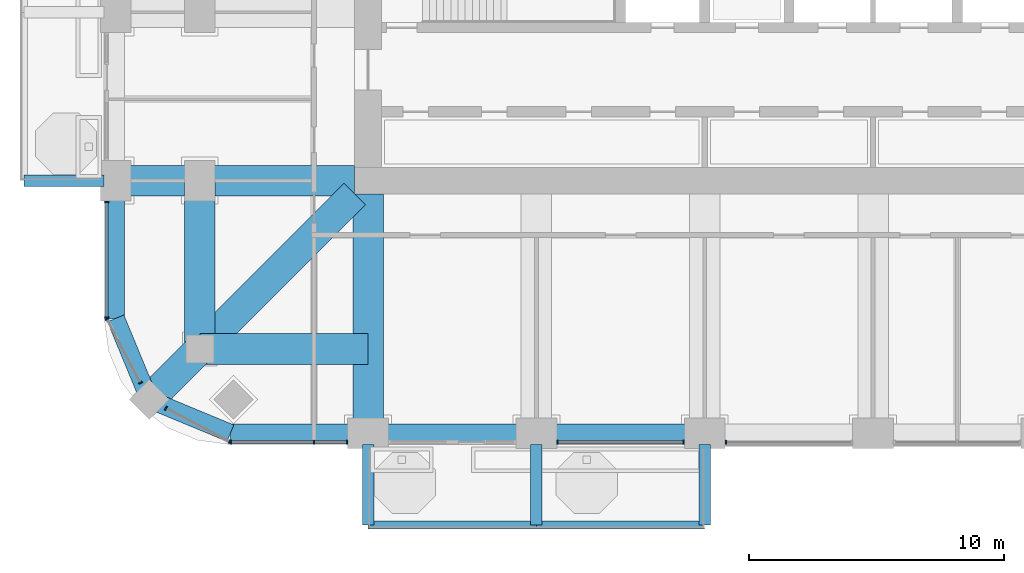
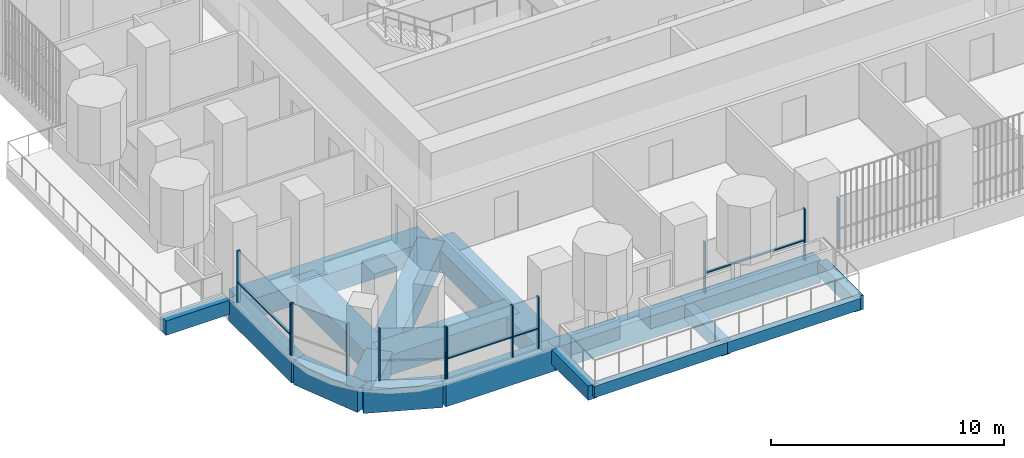
# One storey, part 2 of 20: 18 beams, 16 members, 6 elements without a shape of their own.
"""IFC4 building model written with IfcOpenShell, lengths in metres."""

from ifc_helpers import new_model, si_unit, direction, frame, origin, origin_2d, place, context, subcontext, project, spatial, rectangle, extrude, material, material_profile, profile_set, type_object, element, aggregate, save


model = new_model("IFC4")

# Units and contexts
model_context = context("Model", 3, precision=1e-05, world=origin(), true_north=direction((0.0, 1.0)))
body_context = subcontext(model_context, "Body", "Model", "MODEL_VIEW")
ifc_project = project(units=[si_unit("LENGTHUNIT", "METRE"), si_unit("AREAUNIT", "SQUARE_METRE"), si_unit("VOLUMEUNIT", "CUBIC_METRE"), si_unit("PLANEANGLEUNIT", "RADIAN"), si_unit("MASSUNIT", "GRAM", prefix="KILO")], contexts=[model_context])

# Site, building, storey
site_placement = place(None, origin())
site = spatial("IfcSite", under=ifc_project, at=site_placement, CompositionType="ELEMENT")
building_placement = place(site_placement, origin())
building = spatial("IfcBuilding", under=site, at=building_placement, Name="Cobogo Forest Laboratory Tower", CompositionType="ELEMENT")
storey_placement = place(building_placement, frame((0.0, 0.0, 185.10009765625)))
storey = spatial("IfcBuildingStorey", under=building, at=storey_placement, Name="L42", CompositionType="ELEMENT", Elevation=185.10009765625)

# Beams
ifc_material_1 = material(Name="Concrete HA-40 (C40/50)", Category="concrete")
ifc_material_profile_1 = material_profile(ifc_material_1, rectangle(XDim=0.449951171875, YDim=0.75, at=origin_2d()), Name="RC 450x750")
ifc_profile_set_1 = profile_set([ifc_material_profile_1], Name="Concrete HA-40 (C40/50)")
beam_type_1 = type_object("IfcBeamType", Name="Balcony cantilever beam 450x750", PredefinedType="BEAM", material=ifc_profile_set_1)
for number, where, z_axis, x_axis, name in (
    (1, (13.199951171875, 2.85009765625, -0.625), (0.0, -1.0, 0.0), (1.0, 0.0, 0.0), "CB1 BAL-S1-C1 L42"),
    (2, (19.800048828125, 2.85009765625, -0.625), (0.0, -1.0, 0.0), (1.0, 0.0, 0.0), "CB1 BAL-S1-C2 L42"),
    (3, (26.39990234375, 2.85009765625, -0.625), (0.0, -1.0, 0.0), (1.0, 0.0, 0.0), "CB1 BAL-S1-C3 L42"),
    (4, (2.85009765625, 13.199951171875, -0.625), (-1.0, 0.0, 0.0), (0.0, -1.0, 0.0), "CB1 BAL-W1-C1 L42"),
):
    element("IfcBeam", number, at=place(storey_placement, frame(where, z_axis=z_axis, x_axis=x_axis)), inside=storey, type_object=beam_type_1, Name=name, PredefinedType="BEAM", context=body_context, shape_type="SweptSolid", body=[
        extrude(rectangle(XDim=0.449951171875, YDim=0.75, at=origin_2d()), origin(), (0.0, 0.0, 1.0), 3.150146484375),
    ])
ifc_material_profile_2 = material_profile(ifc_material_1, rectangle(XDim=0.300048828125, YDim=0.60009765625, at=origin_2d()), Name="RC 300x600")
ifc_profile_set_2 = profile_set([ifc_material_profile_2], Name="Concrete HA-40 (C40/50)")
beam_type_2 = type_object("IfcBeamType", Name="Balcony edge beam 300x600", PredefinedType="BEAM", material=ifc_profile_set_2)
beam_1_placement = place(storey_placement, frame((13.199951171875, -0.300048828125, -0.550048828125), z_axis=(1.0, 0.0, 0.0), x_axis=(0.0, 1.0, 0.0)))
element("IfcBeam", 5, at=beam_1_placement, inside=storey, type_object=beam_type_2, Name="BB1 BAL-S1-T1 L42", PredefinedType="BEAM", context=body_context, shape_type="SweptSolid", body=[
    extrude(rectangle(XDim=0.300048828125, YDim=0.60009765625, at=origin_2d()), origin(), (0.0, 0.0, 1.0), 6.60009765625),
])
beam_2_placement = place(storey_placement, frame((19.800048828125, -0.300048828125, -0.550048828125), z_axis=(1.0, 0.0, 0.0), x_axis=(0.0, 1.0, 0.0)))
element("IfcBeam", 6, at=beam_2_placement, inside=storey, type_object=beam_type_2, Name="BB1 BAL-S1-T2 L42", PredefinedType="BEAM", context=body_context, shape_type="SweptSolid", body=[
    extrude(rectangle(XDim=0.300048828125, YDim=0.60009765625, at=origin_2d()), origin(), (0.0, 0.0, 1.0), 6.599853515625),
])
ifc_material_profile_3 = material_profile(ifc_material_1, rectangle(XDim=1.199951171875, YDim=1.050048828125, at=origin_2d()), Name="RC 1200x1050")
ifc_profile_set_3 = profile_set([ifc_material_profile_3], Name="Concrete HA-40 (C40/50)")
beam_type_3 = type_object("IfcBeamType", Name="Laboratory floor wide beam 1200x1050", PredefinedType="BEAM", material=ifc_profile_set_3)
for number, where, z_axis, x_axis, name in (
    (7, (13.199951171875, 12.675048828125, -0.8251953125), (0.0, -1.0, 0.0), (1.0, 0.0, 0.0), "RB1 R-3-S L42"),
    (8, (12.675048828125, 13.199951171875, -0.8251953125), (-1.0, 0.0, 0.0), (0.0, -1.0, 0.0), "RB1 R-C-W L42"),
):
    element("IfcBeam", number, at=place(storey_placement, frame(where, z_axis=z_axis, x_axis=x_axis)), inside=storey, type_object=beam_type_3, Name=name, PredefinedType="BEAM", context=body_context, shape_type="SweptSolid", body=[
        extrude(rectangle(XDim=1.199951171875, YDim=1.050048828125, at=origin_2d()), origin(), (0.0, 0.0, 1.0), 9.375),
    ])
for number, where, z_axis, x_axis, name in (
    (9, (6.60009765625, 6.60009765625, -0.8251953125), (0.0, 1.0, 0.0), (-1.0, 0.0, 0.0), "RB1 G-SW-XC L42"),
    (10, (6.60009765625, 6.60009765625, -0.8251953125), (1.0, 0.0, 0.0), (0.0, 1.0, 0.0), "RB1 G-SW-YC L42"),
):
    element("IfcBeam", number, at=place(storey_placement, frame(where, z_axis=z_axis, x_axis=x_axis)), inside=storey, type_object=beam_type_3, Name=name, PredefinedType="BEAM", context=body_context, shape_type="SweptSolid", body=[
        extrude(rectangle(XDim=1.199951171875, YDim=1.050048828125, at=origin_2d()), origin(), (0.0, 0.0, 1.0), 6.599853515625),
    ])
beam_3_placement = place(storey_placement, frame((4.617919921875, 4.617919921875, -0.8251953125), z_axis=(0.707106781187, 0.707106781187, 0.0), x_axis=(-0.707106781187, 0.707106781187, 0.0)))
element("IfcBeam", 11, at=beam_3_placement, inside=storey, type_object=beam_type_3, Name="RB1 G-SW-D1 L42", PredefinedType="BEAM", context=body_context, shape_type="SweptSolid", body=[
    extrude(rectangle(XDim=1.199951171875, YDim=1.050048828125, at=origin_2d()), origin(), (0.0, 0.0, 1.0), 2.80322265625),
])
beam_4_placement = place(storey_placement, frame((6.60009765625, 6.60009765625, -0.8251953125), z_axis=(0.707106781187, 0.707106781187, 0.0), x_axis=(-0.707106781187, 0.707106781187, 0.0)))
element("IfcBeam", 12, at=beam_4_placement, inside=storey, type_object=beam_type_3, Name="RB1 G-SW-D2 L42", PredefinedType="BEAM", context=body_context, shape_type="SweptSolid", body=[
    extrude(rectangle(XDim=1.199951171875, YDim=1.050048828125, at=origin_2d()), origin(), (0.0, 0.0, 1.0), 8.59130859375),
])

# Curtain wall, members
ifc_material_2 = material(Name="Aluminium curtain wall", Category="aluminium")
curtain_wall_type = type_object("IfcCurtainWallType", Name="CW-2 unitised curtain wall, solar control glazing, laboratory floors zones C and D", PredefinedType="USERDEFINED", material=ifc_material_2)
curtain_wall_1_placement = place(storey_placement, origin())
curtain_wall_1 = element("IfcCurtainWall", 13, at=curtain_wall_1_placement, inside=storey, type_object=curtain_wall_type, Name="Curtain wall 01 L42", ObjectType="UNITISED CURTAIN WALL", PredefinedType="USERDEFINED")
ifc_material_3 = material(Name="Aluminium mullion", Category="aluminium")
ifc_material_profile_4 = material_profile(ifc_material_3, rectangle(XDim=0.06005859375, YDim=0.159912109375, at=origin_2d()), Name="AL 60x160")
ifc_profile_set_4 = profile_set([ifc_material_profile_4], Name="Aluminium mullion")
member_type_1 = type_object("IfcMemberType", Name="MU-1 aluminium mullion 60x160", PredefinedType="MULLION", material=ifc_profile_set_4)
member_1_placement = place(storey_placement, frame((7.830078125, 2.949951171875, 0.0), z_axis=(0.0, 0.0, 1.0), x_axis=(1.0, 0.0, 0.0)))
member_1 = element("IfcMember", 14, at=member_1_placement, type_object=member_type_1, Name="CW-2 mullion 1", PredefinedType="MULLION", context=body_context, shape_type="SweptSolid", body=[
    extrude(rectangle(XDim=0.06005859375, YDim=0.159912109375, at=origin_2d()), origin(), (0.0, 0.0, 1.0), 2.699951171875),
])
member_2_placement = place(storey_placement, frame((11.074951171875, 2.949951171875, 0.0), z_axis=(0.0, 0.0, 1.0), x_axis=(1.0, 0.0, 0.0)))
member_2 = element("IfcMember", 15, at=member_2_placement, type_object=member_type_1, Name="CW-2 mullion 2", PredefinedType="MULLION", context=body_context, shape_type="SweptSolid", body=[
    extrude(rectangle(XDim=0.06005859375, YDim=0.159912109375, at=origin_2d()), origin(), (0.0, 0.0, 1.0), 2.699951171875),
])
member_3_placement = place(storey_placement, frame((12.3701171875, 2.949951171875, 0.0), z_axis=(0.0, 0.0, 1.0), x_axis=(1.0, 0.0, 0.0)))
member_3 = element("IfcMember", 16, at=member_3_placement, type_object=member_type_1, Name="CW-2 mullion 3", PredefinedType="MULLION", context=body_context, shape_type="SweptSolid", body=[
    extrude(rectangle(XDim=0.06005859375, YDim=0.159912109375, at=origin_2d()), origin(), (0.0, 0.0, 1.0), 2.699951171875),
])

curtain_wall_2_placement = place(storey_placement, origin())
curtain_wall_2 = element("IfcCurtainWall", 17, at=curtain_wall_2_placement, inside=storey, type_object=curtain_wall_type, Name="Curtain wall 03 L42", ObjectType="UNITISED CURTAIN WALL", PredefinedType="USERDEFINED")
member_4_placement = place(storey_placement, frame((20.6298828125, 2.949951171875, 0.0), z_axis=(0.0, 0.0, 1.0), x_axis=(1.0, 0.0, 0.0)))
member_4 = element("IfcMember", 18, at=member_4_placement, type_object=member_type_1, Name="CW-2 mullion 1", PredefinedType="MULLION", context=body_context, shape_type="SweptSolid", body=[
    extrude(rectangle(XDim=0.06005859375, YDim=0.159912109375, at=origin_2d()), origin(), (0.0, 0.0, 1.0), 2.699951171875),
])
member_5_placement = place(storey_placement, frame((25.570068359375, 2.949951171875, 0.0), z_axis=(0.0, 0.0, 1.0), x_axis=(1.0, 0.0, 0.0)))
member_5 = element("IfcMember", 19, at=member_5_placement, type_object=member_type_1, Name="CW-2 mullion 2", PredefinedType="MULLION", context=body_context, shape_type="SweptSolid", body=[
    extrude(rectangle(XDim=0.06005859375, YDim=0.159912109375, at=origin_2d()), origin(), (0.0, 0.0, 1.0), 2.699951171875),
])

# Curtain wall, member
curtain_wall_3_placement = place(storey_placement, origin())
curtain_wall_3 = element("IfcCurtainWall", 20, at=curtain_wall_3_placement, inside=storey, type_object=curtain_wall_type, Name="Curtain wall 04 L42", ObjectType="UNITISED CURTAIN WALL", PredefinedType="USERDEFINED")
member_6_placement = place(storey_placement, frame((27.22998046875, 2.949951171875, 0.0), z_axis=(0.0, 0.0, 1.0), x_axis=(1.0, 0.0, 0.0)))
member_6 = element("IfcMember", 21, at=member_6_placement, type_object=member_type_1, Name="CW-2 mullion 1", PredefinedType="MULLION", context=body_context, shape_type="SweptSolid", body=[
    extrude(rectangle(XDim=0.06005859375, YDim=0.159912109375, at=origin_2d()), origin(), (0.0, 0.0, 1.0), 2.699951171875),
])
aggregate(curtain_wall_3, [member_6])

# Curtain wall, members
curtain_wall_4_placement = place(storey_placement, origin())
curtain_wall_4 = element("IfcCurtainWall", 22, at=curtain_wall_4_placement, inside=storey, type_object=curtain_wall_type, Name="Curtain wall 28 L42", ObjectType="UNITISED CURTAIN WALL", PredefinedType="USERDEFINED")
member_7_placement = place(storey_placement, frame((2.949951171875, 12.3701171875, 0.0), z_axis=(0.0, 0.0, 1.0), x_axis=(0.0, -1.0, 0.0)))
member_7 = element("IfcMember", 23, at=member_7_placement, type_object=member_type_1, Name="CW-2 mullion 1", PredefinedType="MULLION", context=body_context, shape_type="SweptSolid", body=[
    extrude(rectangle(XDim=0.06005859375, YDim=0.159912109375, at=origin_2d()), origin(), (0.0, 0.0, 1.0), 2.699951171875),
])
member_8_placement = place(storey_placement, frame((2.949951171875, 7.830078125, 0.0), z_axis=(0.0, 0.0, 1.0), x_axis=(0.0, -1.0, 0.0)))
member_8 = element("IfcMember", 24, at=member_8_placement, type_object=member_type_1, Name="CW-2 mullion 2", PredefinedType="MULLION", context=body_context, shape_type="SweptSolid", body=[
    extrude(rectangle(XDim=0.06005859375, YDim=0.159912109375, at=origin_2d()), origin(), (0.0, 0.0, 1.0), 2.699951171875),
])

curtain_wall_5_placement = place(storey_placement, origin())
curtain_wall_5 = element("IfcCurtainWall", 25, at=curtain_wall_5_placement, inside=storey, type_object=curtain_wall_type, Name="Curtain wall 29 L42", ObjectType="UNITISED CURTAIN WALL", PredefinedType="USERDEFINED")
member_9_placement = place(storey_placement, frame((2.9638671875, 7.7734375, 0.0), z_axis=(0.0, 0.0, 1.0), x_axis=(0.464283804832, -0.885686484356, 0.0)))
member_9 = element("IfcMember", 26, at=member_9_placement, type_object=member_type_1, Name="CW-2 mullion 1", PredefinedType="MULLION", context=body_context, shape_type="SweptSolid", body=[
    extrude(rectangle(XDim=0.06005859375, YDim=0.159912109375, at=origin_2d()), origin(), (0.0, 0.0, 1.0), 2.699951171875),
])
member_10_placement = place(storey_placement, frame((4.2734375, 5.275634765625, 0.0), z_axis=(0.0, 0.0, 1.0), x_axis=(0.464283804832, -0.885686484356, 0.0)))
member_10 = element("IfcMember", 27, at=member_10_placement, type_object=member_type_1, Name="CW-2 mullion 2", PredefinedType="MULLION", context=body_context, shape_type="SweptSolid", body=[
    extrude(rectangle(XDim=0.06005859375, YDim=0.159912109375, at=origin_2d()), origin(), (0.0, 0.0, 1.0), 2.699951171875),
])
aggregate(curtain_wall_5, [member_9, member_10])

curtain_wall_6_placement = place(storey_placement, origin())
curtain_wall_6 = element("IfcCurtainWall", 28, at=curtain_wall_6_placement, inside=storey, type_object=curtain_wall_type, Name="Curtain wall 30 L42", ObjectType="UNITISED CURTAIN WALL", PredefinedType="USERDEFINED")
member_11_placement = place(storey_placement, frame((5.275634765625, 4.2734375, 0.0), z_axis=(0.0, 0.0, 1.0), x_axis=(0.885686484356, -0.464283804832, 0.0)))
member_11 = element("IfcMember", 29, at=member_11_placement, type_object=member_type_1, Name="CW-2 mullion 1", PredefinedType="MULLION", context=body_context, shape_type="SweptSolid", body=[
    extrude(rectangle(XDim=0.06005859375, YDim=0.159912109375, at=origin_2d()), origin(), (0.0, 0.0, 1.0), 2.699951171875),
])
member_12_placement = place(storey_placement, frame((7.7734375, 2.9638671875, 0.0), z_axis=(0.0, 0.0, 1.0), x_axis=(0.885686484356, -0.464283804832, 0.0)))
member_12 = element("IfcMember", 30, at=member_12_placement, type_object=member_type_1, Name="CW-2 mullion 2", PredefinedType="MULLION", context=body_context, shape_type="SweptSolid", body=[
    extrude(rectangle(XDim=0.06005859375, YDim=0.159912109375, at=origin_2d()), origin(), (0.0, 0.0, 1.0), 2.699951171875),
])
aggregate(curtain_wall_6, [member_11, member_12])

# Beams
ifc_material_profile_5 = material_profile(ifc_material_1, rectangle(XDim=0.699951171875, YDim=1.199951171875, at=origin_2d()), Name="RC 700x1200")
ifc_profile_set_5 = profile_set([ifc_material_profile_5], Name="Concrete HA-40 (C40/50)")
beam_type_4 = type_object("IfcBeamType", Name="Perimeter edge beam 700x1200", PredefinedType="BEAM", material=ifc_profile_set_5)
beam_5_placement = place(storey_placement, frame((13.199951171875, 3.300048828125, -0.900146484375), z_axis=(1.0, 0.0, 0.0), x_axis=(0.0, 1.0, 0.0)))
element("IfcBeam", 31, at=beam_5_placement, inside=storey, type_object=beam_type_4, Name="EB1 E-S1 L42", PredefinedType="BEAM", context=body_context, shape_type="SweptSolid", body=[
    extrude(rectangle(XDim=0.699951171875, YDim=1.199951171875, at=origin_2d()), origin(), (0.0, 0.0, 1.0), 6.60009765625),
])
beam_6_placement = place(storey_placement, frame((19.800048828125, 3.300048828125, -0.900146484375), z_axis=(1.0, 0.0, 0.0), x_axis=(0.0, 1.0, 0.0)))
element("IfcBeam", 32, at=beam_6_placement, inside=storey, type_object=beam_type_4, Name="EB1 E-S2 L42", PredefinedType="BEAM", context=body_context, shape_type="SweptSolid", body=[
    extrude(rectangle(XDim=0.699951171875, YDim=1.199951171875, at=origin_2d()), origin(), (0.0, 0.0, 1.0), 6.599853515625),
])
beam_7_placement = place(storey_placement, frame((13.199951171875, 3.300048828125, -0.900146484375), z_axis=(-1.0, 0.0, 0.0), x_axis=(0.0, -1.0, 0.0)))
element("IfcBeam", 33, at=beam_7_placement, inside=storey, type_object=beam_type_4, Name="EB1 E-SWS1 L42", PredefinedType="BEAM", context=body_context, shape_type="SweptSolid", body=[
    extrude(rectangle(XDim=0.699951171875, YDim=1.199951171875, at=origin_2d()), origin(), (0.0, 0.0, 1.0), 5.39990234375),
])
beam_8_placement = place(storey_placement, frame((7.800048828125, 3.300048828125, -0.900146484375), z_axis=(-0.923901072997, 0.382631424892, 0.0), x_axis=(-0.382631424892, -0.923901072997, 0.0)))
element("IfcBeam", 34, at=beam_8_placement, inside=storey, type_object=beam_type_4, Name="EB1 E-SWS2 L42", PredefinedType="BEAM", context=body_context, shape_type="SweptSolid", body=[
    extrude(rectangle(XDim=0.699951171875, YDim=1.199951171875, at=origin_2d()), origin(), (0.0, 0.0, 1.0), 3.4443359375),
])
beam_9_placement = place(storey_placement, frame((3.300048828125, 13.199951171875, -0.900146484375), z_axis=(0.0, -1.0, 0.0), x_axis=(1.0, 0.0, 0.0)))
element("IfcBeam", 35, at=beam_9_placement, inside=storey, type_object=beam_type_4, Name="EB1 E-SWW1 L42", PredefinedType="BEAM", context=body_context, shape_type="SweptSolid", body=[
    extrude(rectangle(XDim=0.699951171875, YDim=1.199951171875, at=origin_2d()), origin(), (0.0, 0.0, 1.0), 5.39990234375),
])
beam_10_placement = place(storey_placement, frame((3.300048828125, 7.800048828125, -0.900146484375), z_axis=(0.382631424892, -0.923901072997, 0.0), x_axis=(0.923901072997, 0.382631424892, 0.0)))
element("IfcBeam", 36, at=beam_10_placement, inside=storey, type_object=beam_type_4, Name="EB1 E-SWW2 L42", PredefinedType="BEAM", context=body_context, shape_type="SweptSolid", body=[
    extrude(rectangle(XDim=0.699951171875, YDim=1.199951171875, at=origin_2d()), origin(), (0.0, 0.0, 1.0), 3.4443359375),
])

# Member
ifc_material_4 = material(Name="Aluminium transom", Category="aluminium")
ifc_material_profile_6 = material_profile(ifc_material_4, rectangle(XDim=0.1201171875, YDim=0.06005859375, at=origin_2d()), Name="AL 60x120")
ifc_profile_set_6 = profile_set([ifc_material_profile_6], Name="Aluminium transom")
member_type_2 = type_object("IfcMemberType", Name="TR-1 aluminium transom 60x120", PredefinedType="USERDEFINED", material=ifc_profile_set_6)
member_13_placement = place(storey_placement, frame((7.860107421875, 2.949951171875, 1.0498046875), z_axis=(1.0, 0.0, 0.0), x_axis=(0.0, 1.0, 0.0)))
member_13 = element("IfcMember", 37, at=member_13_placement, type_object=member_type_2, Name="CW-2 transom 1.1", ObjectType="TRANSOM", PredefinedType="USERDEFINED", context=body_context, shape_type="SweptSolid", body=[
    extrude(rectangle(XDim=0.1201171875, YDim=0.06005859375, at=origin_2d()), origin(), (0.0, 0.0, 1.0), 3.184814453125),
])

member_14_placement = place(storey_placement, frame((11.10498046875, 2.949951171875, 1.0498046875), z_axis=(1.0, 0.0, 0.0), x_axis=(0.0, 1.0, 0.0)))
member_14 = element("IfcMember", 38, at=member_14_placement, type_object=member_type_2, Name="CW-2 transom 2.1", ObjectType="TRANSOM", PredefinedType="USERDEFINED", context=body_context, shape_type="SweptSolid", body=[
    extrude(rectangle(XDim=0.1201171875, YDim=0.06005859375, at=origin_2d()), origin(), (0.0, 0.0, 1.0), 1.235107421875),
])

aggregate(curtain_wall_1, [member_1, member_2, member_3, member_13, member_14])

member_15_placement = place(storey_placement, frame((20.659912109375, 2.949951171875, 1.0498046875), z_axis=(1.0, 0.0, 0.0), x_axis=(0.0, 1.0, 0.0)))
member_15 = element("IfcMember", 39, at=member_15_placement, type_object=member_type_2, Name="CW-2 transom 1.1", ObjectType="TRANSOM", PredefinedType="USERDEFINED", context=body_context, shape_type="SweptSolid", body=[
    extrude(rectangle(XDim=0.1201171875, YDim=0.06005859375, at=origin_2d()), origin(), (0.0, 0.0, 1.0), 4.880126953125),
])

aggregate(curtain_wall_2, [member_4, member_5, member_15])

member_16_placement = place(storey_placement, frame((2.949951171875, 12.340087890625, 1.0498046875), z_axis=(0.0, -1.0, 0.0), x_axis=(1.0, 0.0, 0.0)))
member_16 = element("IfcMember", 40, at=member_16_placement, type_object=member_type_2, Name="CW-2 transom 1.1", ObjectType="TRANSOM", PredefinedType="USERDEFINED", context=body_context, shape_type="SweptSolid", body=[
    extrude(rectangle(XDim=0.1201171875, YDim=0.06005859375, at=origin_2d()), origin(), (0.0, 0.0, 1.0), 4.47998046875),
])

aggregate(curtain_wall_4, [member_7, member_8, member_16])

save(model, "model.ifc")
